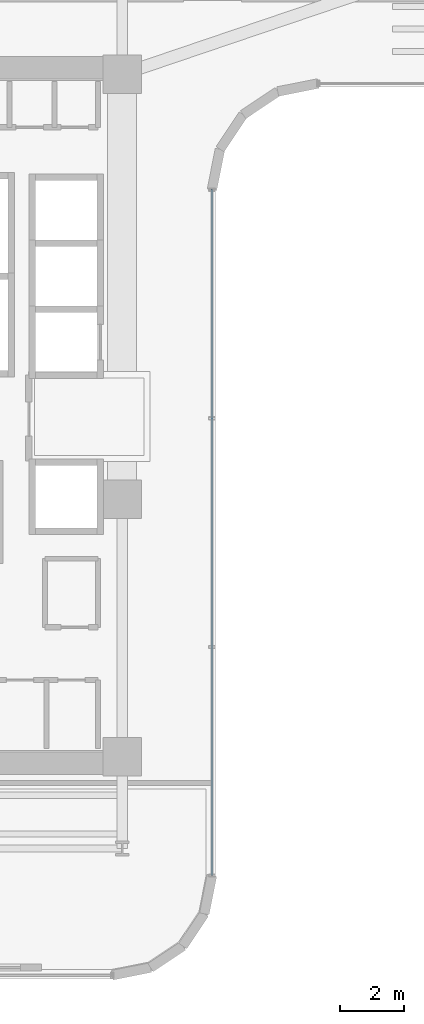
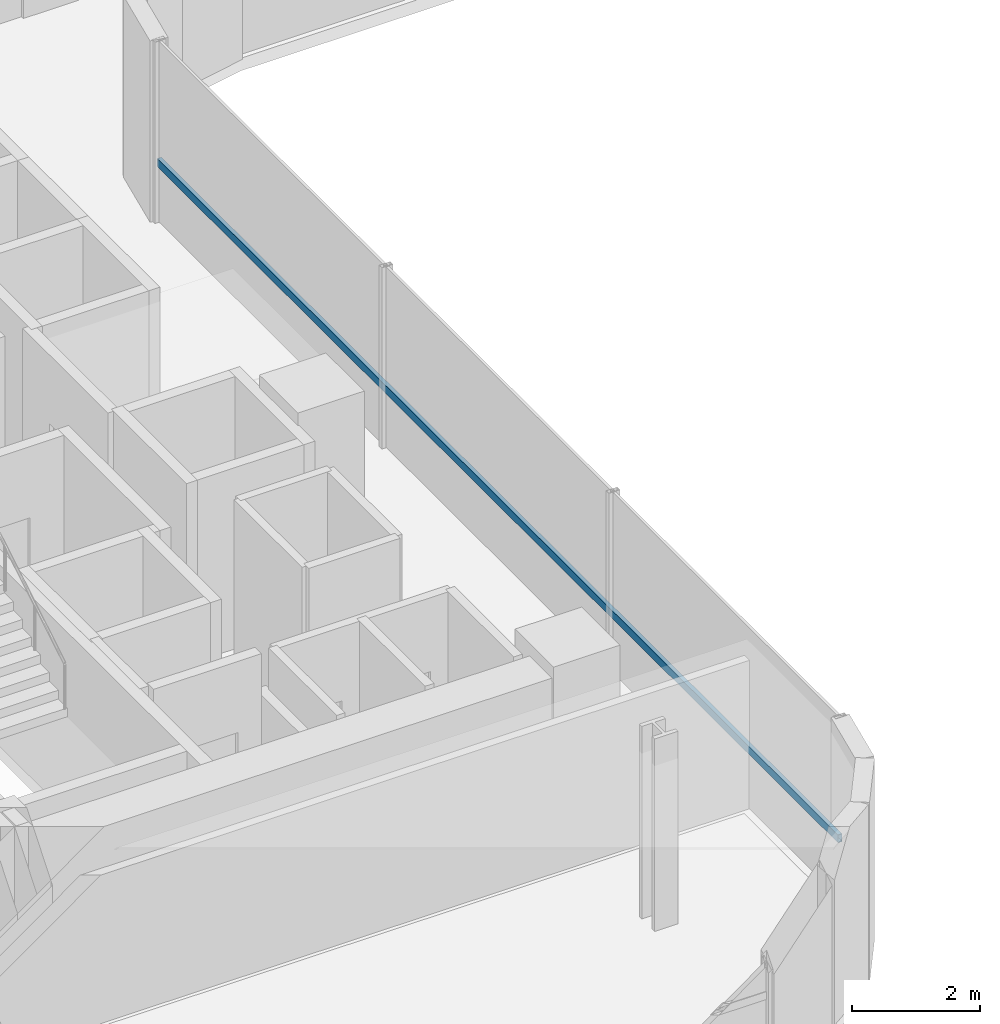
# One storey, part 6 of 35: 1 member, 1 element without a shape of its own.
"""IFC4 building model written with IfcOpenShell, lengths in metres."""

from ifc_helpers import new_model, si_unit, direction, frame, origin, origin_2d, place, context, subcontext, project, spatial, hollow_rectangle, extrude, source, transform, mapped, material, material_profile, profile_set, type_object, element, aggregate, save


model = new_model("IFC4")

# Units and contexts
model_context = context("Model", 3, precision=1e-05, world=origin(), true_north=direction((0.0, 1.0)))
body_context = subcontext(model_context, "Body", "Model", "MODEL_VIEW")
ifc_project = project(units=[si_unit("LENGTHUNIT", "METRE"), si_unit("AREAUNIT", "SQUARE_METRE"), si_unit("VOLUMEUNIT", "CUBIC_METRE"), si_unit("PLANEANGLEUNIT", "RADIAN"), si_unit("MASSUNIT", "GRAM", prefix="KILO")], contexts=[model_context])

# Site, building, storey
site_placement = place(None, origin())
site = spatial("IfcSite", under=ifc_project, at=site_placement, CompositionType="ELEMENT")
building_placement = place(site_placement, origin())
building = spatial("IfcBuilding", under=site, at=building_placement, Name="Valdorenza Pilgrim Sanctuary Tower", CompositionType="ELEMENT")
storey_placement = place(building_placement, frame((0.0, 0.0, 139.0)))
storey = spatial("IfcBuildingStorey", under=building, at=storey_placement, Name="L35", CompositionType="ELEMENT", Elevation=139.0)

# Curtain wall, member
ifc_material_1 = material(Name="Curtain-wall IGU glazing", Category="glass")
curtain_wall_type = type_object("IfcCurtainWallType", Name="CW-SYS-02", PredefinedType="NOTDEFINED", material=ifc_material_1)
curtain_wall_placement = place(storey_placement, origin())
curtain_wall = element("IfcCurtainWall", 1, at=curtain_wall_placement, inside=storey, type_object=curtain_wall_type, Name="L35 Curtain Wall CW-L35-1-41", PredefinedType="NOTDEFINED")
ifc_material_2 = material(Name="Anodised aluminium AW-6060", Category="aluminium")
ifc_material_profile = material_profile(ifc_material_2, hollow_rectangle(XDim=0.074951171875, YDim=0.14990234375, WallThickness=0.00390625, at=origin_2d()), Name="ALU-T 150x75x4")
ifc_profile_set = profile_set([ifc_material_profile], Name="Anodised aluminium AW-6060")
member_type = type_object("IfcMemberType", Name="CW-TRN-02", PredefinedType="USERDEFINED", material=ifc_profile_set)
shared_shape = source(origin(), body_context, "Body", "SweptSolid", [
    extrude(hollow_rectangle(XDim=0.074951171875, YDim=0.14990234375, WallThickness=0.00390625, at=origin_2d()), origin(), (0.0, 0.0, 1.0), 21.300048828125),
])
member_placement = place(storey_placement, frame((-9.610107421875, 7.0107421875, 1.1201171875), z_axis=(0.0, -1.0, 0.0), x_axis=(1.0, 0.0, 0.0)))
member = element("IfcMember", 2, at=member_placement, type_object=member_type, Name="CW-L35-1-41 Transom 1", ObjectType="TRANSOM", PredefinedType="USERDEFINED", context=body_context, shape_type="MappedRepresentation", body=[
    mapped(shared_shape, transform((0.0, 0.0, 0.0), x_axis=(1.0, 0.0, 0.0), y_axis=(0.0, 1.0, 0.0), z_axis=(0.0, 0.0, 1.0), scale=1.0)),
])
aggregate(curtain_wall, [member])

save(model, "model.ifc")
